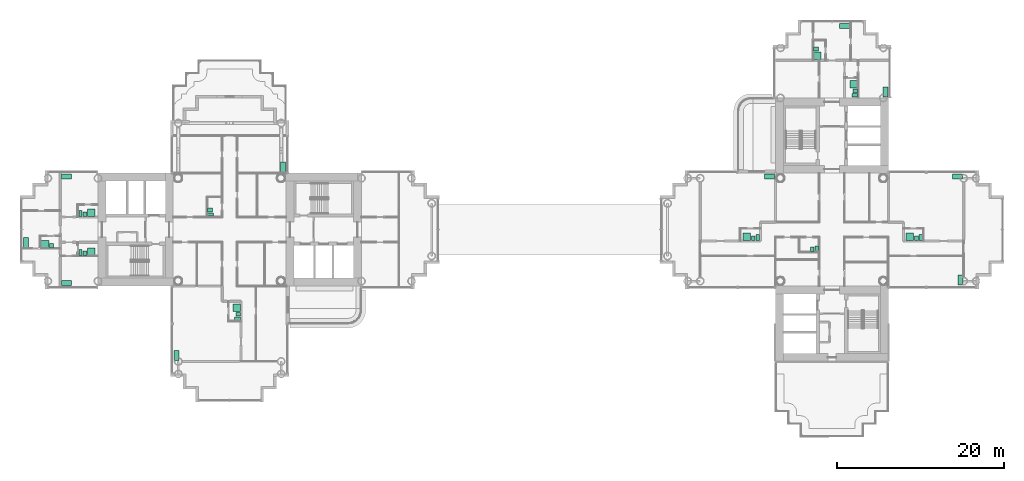
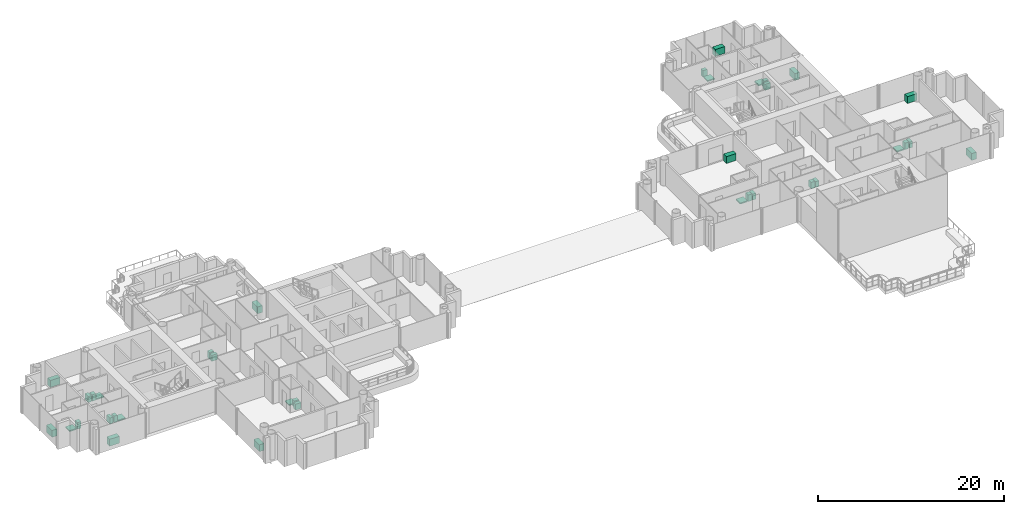
# One storey, part 22 of 22: 36 sanitary terminals.
"""IFC4 building model written with IfcOpenShell, lengths in metres."""

from ifc_helpers import new_model, si_unit, direction, frame, origin, origin_2d, place, context, subcontext, project, spatial, rectangle, extrude, material, type_object, element, save


model = new_model("IFC4")

# Units and contexts
model_context = context("Model", 3, precision=1e-05, world=origin(), true_north=direction((0.0, 1.0)))
body_context = subcontext(model_context, "Body", "Model", "MODEL_VIEW")
ifc_project = project(units=[si_unit("LENGTHUNIT", "METRE"), si_unit("AREAUNIT", "SQUARE_METRE"), si_unit("VOLUMEUNIT", "CUBIC_METRE"), si_unit("PLANEANGLEUNIT", "RADIAN"), si_unit("MASSUNIT", "GRAM", prefix="KILO")], contexts=[model_context])

# Site, building, storey
site_placement = place(None, origin())
site = spatial("IfcSite", under=ifc_project, at=site_placement, CompositionType="ELEMENT")
building_placement = place(site_placement, origin())
building = spatial("IfcBuilding", under=site, at=building_placement, Name="Ipe Terrace Towers", CompositionType="ELEMENT")
storey_placement = place(building_placement, frame((0.0, 0.0, 76.60009765625)))
storey = spatial("IfcBuildingStorey", under=building, at=storey_placement, Name="L20", CompositionType="ELEMENT", Elevation=76.60009765625)

# Sanitary terminals
ifc_material_1 = material(Name="Stainless sink unit", Category="metal")
sanitary_terminal_type_1 = type_object("IfcSanitaryTerminalType", Name="Kitchen sink unit", PredefinedType="SINK", material=ifc_material_1)
for number, where, z_axis, x_axis, name in (
    (1, (-29.6201171875, 7.469970703125, 0.0), (0.0, 0.0, 1.0), (0.0, -1.0, 0.0), "Kitchen sink unit"),
    (2, (-42.3798828125, -15.030029296875, 0.0), (0.0, 0.0, 1.0), (0.0, 1.0, 0.0), "Kitchen sink unit"),
    (3, (-55.530029296875, -6.3798828125, 0.0), (0.0, 0.0, 1.0), (-1.0, 0.0, 0.0), "Kitchen sink unit"),
    (4, (-55.530029296875, 6.3798828125, 0.0), (0.0, 0.0, 1.0), (1.0, 0.0, 0.0), "Kitchen sink unit"),
    (5, (-60.3798828125, -1.530029296875, 0.0), (0.0, 0.0, 1.0), (0.0, 1.0, 0.0), "Kitchen sink unit"),
    (6, (28.530029296875, 6.3798828125, 0.0), (0.0, 0.0, 1.0), (1.0, 0.0, 0.0), "Kitchen sink unit"),
    (7, (51.030029296875, 6.3798828125, 0.0), (0.0, 0.0, 1.0), (1.0, 0.0, 0.0), "Kitchen sink unit"),
    (8, (51.3798828125, -6.030029296875, 0.0), (0.0, 0.0, 1.0), (0.0, -1.0, 0.0), "Kitchen sink unit"),
    (9, (42.3798828125, 16.469970703125, 0.0), (0.0, 0.0, 1.0), (0.0, -1.0, 0.0), "Kitchen sink unit"),
    (10, (37.530029296875, 24.3798828125, 0.0), (0.0, 0.0, 1.0), (1.0, 0.0, 0.0), "Kitchen sink unit"),
):
    element("IfcSanitaryTerminal", number, at=place(storey_placement, frame(where, z_axis=z_axis, x_axis=x_axis)), inside=storey, type_object=sanitary_terminal_type_1, Name=name, PredefinedType="SINK", context=body_context, shape_type="SweptSolid", body=[
        extrude(rectangle(XDim=1.199951171875, YDim=0.60009765625, at=origin_2d()), origin(), (0.0, 0.0, 1.0), 0.89990234375),
    ])
ifc_material_2 = material(Name="Acrylic", Category="plastic")
sanitary_terminal_type_2 = type_object("IfcSanitaryTerminalType", Name="Shower tray", PredefinedType="SHOWER", material=ifc_material_2)
for number, where, z_axis, x_axis, name in (
    (11, (-35.169921875, -9.330078125, 0.0), (0.0, 0.0, 1.0), (-1.0, 0.0, 0.0), "Shower tray"),
    (12, (-52.530029296875, -2.6298828125, 0.0), (0.0, 0.0, 1.0), (0.0, 1.0, 0.0), "Shower tray"),
    (13, (-52.530029296875, 2.02001953125, 0.0), (0.0, 0.0, 1.0), (0.0, 1.0, 0.0), "Shower tray"),
    (14, (-58.080078125, -1.72998046875, 0.0), (0.0, 0.0, 1.0), (0.0, 1.0, 0.0), "Shower tray"),
    (15, (25.830078125, -0.830078125, 0.0), (0.0, 0.0, 1.0), (0.0, 1.0, 0.0), "Shower tray"),
    (16, (45.330078125, -0.830078125, 0.0), (0.0, 0.0, 1.0), (0.0, 1.0, 0.0), "Shower tray"),
    (17, (38.6298828125, 17.3701171875, 0.0), (0.0, 0.0, 1.0), (-1.0, 0.0, 0.0), "Shower tray"),
    (18, (34.27001953125, 20.820068359375, 0.0), (0.0, 0.0, 1.0), (1.0, 0.0, 0.0), "Shower tray"),
):
    element("IfcSanitaryTerminal", number, at=place(storey_placement, frame(where, z_axis=z_axis, x_axis=x_axis)), inside=storey, type_object=sanitary_terminal_type_2, Name=name, PredefinedType="SHOWER", context=body_context, shape_type="SweptSolid", body=[
        extrude(rectangle(XDim=0.89990234375, YDim=0.89990234375, at=origin_2d()), origin(), (0.0, 0.0, 1.0), 0.14990234375),
    ])
ifc_material_3 = material(Name="Vitreous china", Category="ceramic")
sanitary_terminal_type_3 = type_object("IfcSanitaryTerminalType", Name="Wash basin", PredefinedType="WASHHANDBASIN", material=ifc_material_3)
for number, where, z_axis, x_axis, name in (
    (19, (-38.35498046875, 2.344970703125, -0.000244140625), (0.0, 0.0, 1.0), (1.0, 0.0, 0.0), "Wash basin"),
    (20, (-34.9951171875, -10.10498046875, -0.000244140625), (0.0, 0.0, 1.0), (-1.0, 0.0, 0.0), "Wash basin"),
    (21, (-53.304931640625, -2.804931640625, -0.000244140625), (0.0, 0.0, 1.0), (0.0, 1.0, 0.0), "Wash basin"),
    (22, (-53.304931640625, 1.844970703125, -0.000244140625), (0.0, 0.0, 1.0), (0.0, 1.0, 0.0), "Wash basin"),
    (23, (-57.304931640625, -1.905029296875, -0.000244140625), (0.0, 0.0, 1.0), (0.0, 1.0, 0.0), "Wash basin"),
    (24, (33.655029296875, -2.35498046875, -0.000244140625), (0.0, 0.0, 1.0), (0.0, 1.0, 0.0), "Wash basin"),
    (25, (26.60498046875, -1.0048828125, -0.000244140625), (0.0, 0.0, 1.0), (0.0, 1.0, 0.0), "Wash basin"),
    (26, (46.10498046875, -1.0048828125, -0.000244140625), (0.0, 0.0, 1.0), (0.0, 1.0, 0.0), "Wash basin"),
    (27, (38.804931640625, 16.594970703125, -0.000244140625), (0.0, 0.0, 1.0), (-1.0, 0.0, 0.0), "Wash basin"),
    (28, (34.094970703125, 21.594970703125, -0.000244140625), (0.0, 0.0, 1.0), (1.0, 0.0, 0.0), "Wash basin"),
):
    element("IfcSanitaryTerminal", number, at=place(storey_placement, frame(where, z_axis=z_axis, x_axis=x_axis)), inside=storey, type_object=sanitary_terminal_type_3, Name=name, PredefinedType="WASHHANDBASIN", context=body_context, shape_type="SweptSolid", body=[
        extrude(rectangle(XDim=0.550048828125, YDim=0.449951171875, at=origin_2d()), origin(), (0.0, 0.0, 1.0), 0.85009765625),
    ])
ifc_material_4 = material(Name="Vitreous china", Category="ceramic")
sanitary_terminal_type_4 = type_object("IfcSanitaryTerminalType", Name="Water closet", PredefinedType="TOILETPAN", material=ifc_material_4)
for number, where, z_axis, x_axis, name in (
    (29, (-38.280029296875, 1.820068359375, 0.0), (0.0, 0.0, 1.0), (1.0, 0.0, 0.0), "Water closet"),
    (30, (-35.070068359375, -10.6298828125, 0.0), (0.0, 0.0, 1.0), (-1.0, 0.0, 0.0), "Water closet"),
    (31, (-53.830078125, -2.72998046875, 0.0), (0.0, 0.0, 1.0), (0.0, 1.0, 0.0), "Water closet"),
    (32, (-53.830078125, 1.919921875, 0.0), (0.0, 0.0, 1.0), (0.0, 1.0, 0.0), "Water closet"),
    (33, (34.179931640625, -2.280029296875, 0.0), (0.0, 0.0, 1.0), (0.0, 1.0, 0.0), "Water closet"),
    (34, (27.1298828125, -0.929931640625, 0.0), (0.0, 0.0, 1.0), (0.0, 1.0, 0.0), "Water closet"),
    (35, (46.6298828125, -0.929931640625, 0.0), (0.0, 0.0, 1.0), (0.0, 1.0, 0.0), "Water closet"),
    (36, (38.72998046875, 16.070068359375, 0.0), (0.0, 0.0, 1.0), (-1.0, 0.0, 0.0), "Water closet"),
):
    element("IfcSanitaryTerminal", number, at=place(storey_placement, frame(where, z_axis=z_axis, x_axis=x_axis)), inside=storey, type_object=sanitary_terminal_type_4, Name=name, PredefinedType="TOILETPAN", context=body_context, shape_type="SweptSolid", body=[
        extrude(rectangle(XDim=0.699951171875, YDim=0.39990234375, at=origin_2d()), origin(), (0.0, 0.0, 1.0), 0.780029296875),
    ])

save(model, "model.ifc")
